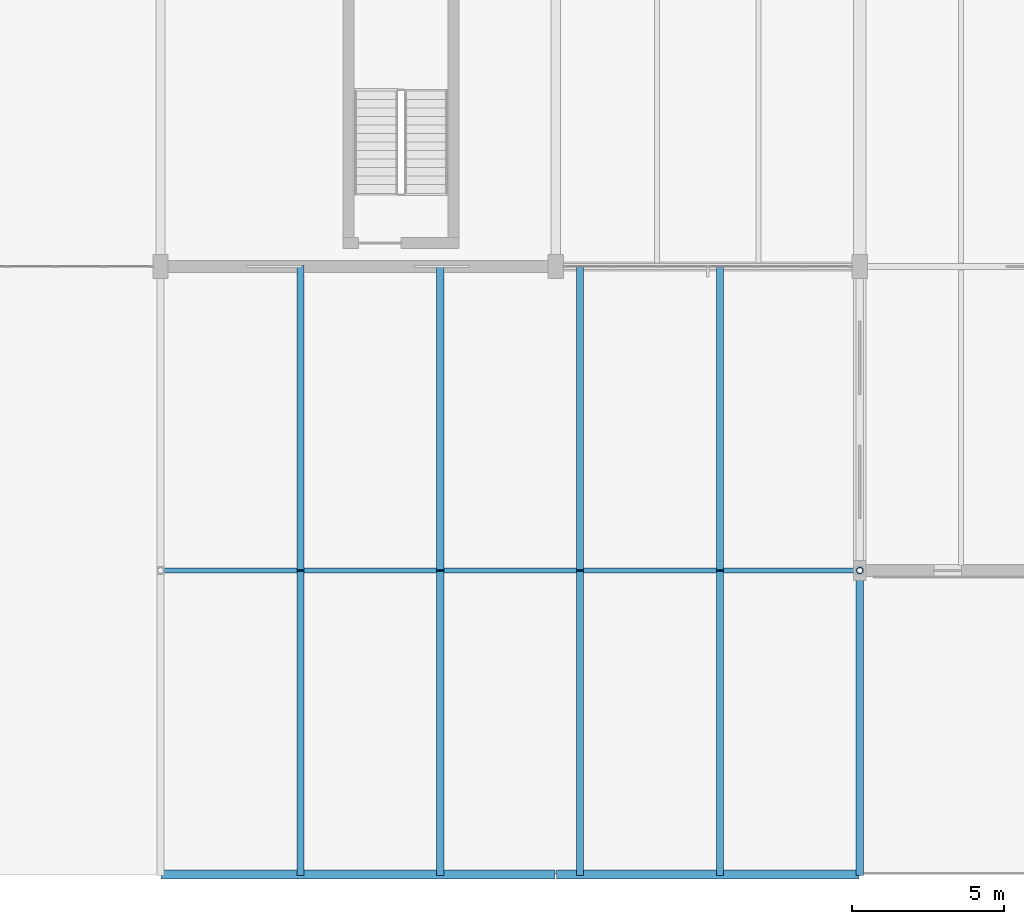
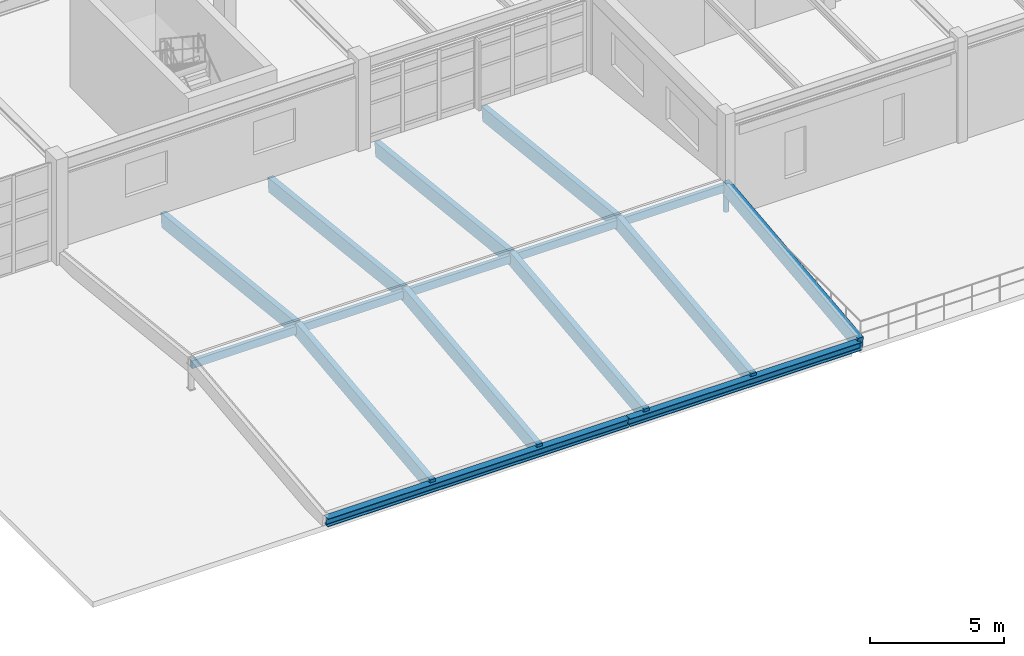
# One storey, part 61 of 139: 10 members, 3 beams.
"""IFC4 building model written with IfcOpenShell, lengths in metres."""

import ifcopenshell
import ifcopenshell.guid

model = None  # the IFC model being written
_history = None  # IfcOwnerHistory: only IFC2X3 demands one
_inside = {}  # id of a spatial element -> (the spatial element, [elements in it])
_under = {}  # id of a project, library or spatial element -> (it, [spatial elements below it])
_declared = {}  # id of a project -> (the project, [libraries it declares])
_typed = {}  # id of a type object -> (the type object, [elements of that type])
_made_of = {}  # id of a material, layer set ... -> (it, [elements and type objects made of it])


def new_model(schema):
    """Start an empty IFC model of exactly this schema.

    Asked for "IFC4X3", IfcOpenShell would pick the latest addendum, in which some entities
    have other attributes; the version numbers below select the first issue.
    IFC2X3 requires an IfcOwnerHistory on every rooted entity: one is made here for all.
    """
    global model, _history
    if schema == "IFC4X3":
        model = ifcopenshell.file(schema_version=(4, 3, 0, 0))
    else:
        model = ifcopenshell.file(schema=schema)
    _inside.clear()
    _under.clear()
    _declared.clear()
    _typed.clear()
    _made_of.clear()
    _history = None
    if model.schema == "IFC2X3":
        org = make("IfcOrganization", Name="unknown")
        user = make(
            "IfcPersonAndOrganization",
            ThePerson=make("IfcPerson", FamilyName="unknown"),
            TheOrganization=org,
        )
        app = make(
            "IfcApplication",
            ApplicationDeveloper=org,
            Version="unknown",
            ApplicationFullName="unknown",
            ApplicationIdentifier="unknown",
        )
        _history = make(
            "IfcOwnerHistory",
            OwningUser=user,
            OwningApplication=app,
            ChangeAction="ADDED",
            CreationDate=0,
        )
    return model


def make(cls, **values):
    """One entity of the class cls with the attributes given. An attribute that is None is left unset."""
    return model.create_entity(
        cls, **{name: value for name, value in values.items() if value is not None}
    )


def rooted(cls, **values):
    """An entity with a GlobalId (a new one), such as an element, a storey or a relation."""
    return make(cls, GlobalId=ifcopenshell.guid.new(), OwnerHistory=_history, **values)


def si_unit(unit_type, name, prefix=None):
    """IfcSIUnit, for example si_unit("LENGTHUNIT", "METRE", prefix="MILLI")."""
    return make("IfcSIUnit", UnitType=unit_type, Prefix=prefix, Name=name)


def assignment(units):
    """IfcUnitAssignment: the units of a project."""
    return None if units is None else make("IfcUnitAssignment", Units=units)


def point(xyz):
    """IfcCartesianPoint."""
    return None if xyz is None else make("IfcCartesianPoint", Coordinates=xyz)


def direction(xyz):
    """IfcDirection."""
    return None if xyz is None else make("IfcDirection", DirectionRatios=xyz)


def frame(location, z_axis=None, x_axis=None):
    """IfcAxis2Placement3D, a coordinate frame: its origin and axes. An axis left out is left unset."""
    return make(
        "IfcAxis2Placement3D",
        Location=point(location),
        Axis=direction(z_axis),
        RefDirection=direction(x_axis),
    )


def frame_2d(location, x_axis=None):
    """IfcAxis2Placement2D, a coordinate frame in the plane: its origin and x axis."""
    return make(
        "IfcAxis2Placement2D", Location=point(location), RefDirection=direction(x_axis)
    )


def origin():
    """The frame at (0, 0, 0) with its axes left unset."""
    return frame((0.0, 0.0, 0.0))


def origin_2d():
    """The frame at (0, 0) in the plane with its x axis left unset."""
    return frame_2d((0.0, 0.0))


def place(relative_to, where):
    """IfcLocalPlacement: puts the frame where relative to a parent placement (None: the world)."""
    return make(
        "IfcLocalPlacement", PlacementRelTo=relative_to, RelativePlacement=where
    )


def context(
    kind, dimensions, precision=None, world=None, true_north=None, identifier=None
):
    """IfcGeometricRepresentationContext, for example the 3D "Model" context."""
    return make(
        "IfcGeometricRepresentationContext",
        ContextIdentifier=identifier,
        ContextType=kind,
        CoordinateSpaceDimension=dimensions,
        Precision=precision,
        WorldCoordinateSystem=world,
        TrueNorth=true_north,
    )


def subcontext(parent, identifier, kind, view, scale=None):
    """IfcGeometricRepresentationSubContext, for example "Body" below "Model"."""
    return make(
        "IfcGeometricRepresentationSubContext",
        ContextIdentifier=identifier,
        ContextType=kind,
        ParentContext=parent,
        TargetScale=scale,
        TargetView=view,
    )


def project(units=None, contexts=None):
    """IfcProject with its units and contexts."""
    return rooted(
        "IfcProject",
        Name="project",
        RepresentationContexts=contexts,
        UnitsInContext=assignment(units),
    )


def spatial(cls, under=None, at=None, **own):
    """A site, building, storey or space (cls), placed at a placement, below another one or the project."""
    s = rooted(cls, ObjectPlacement=at, **own)
    if under is not None:
        _under.setdefault(under.id(), (under, []))[1].append(s)
    return s


def profile(cls, at=None, kind="AREA", **sizes):
    """A parametric profile (cls). Its sizes go by their IFC names, for example OverallWidth=200.0."""
    return make(cls, ProfileType=kind, Position=at, **sizes)


def rectangle(**sizes):
    """IfcRectangleProfileDef."""
    return profile("IfcRectangleProfileDef", **sizes)


def hollow_circle(**sizes):
    """IfcCircleHollowProfileDef."""
    return profile("IfcCircleHollowProfileDef", **sizes)


def i_section(**sizes):
    """IfcIShapeProfileDef."""
    return profile("IfcIShapeProfileDef", **sizes)


def extrude(swept, where, along, depth):
    """IfcExtrudedAreaSolid: the profile swept, set in the frame where, extruded along a direction by depth."""
    return make(
        "IfcExtrudedAreaSolid",
        SweptArea=swept,
        Position=where,
        ExtrudedDirection=direction(along),
        Depth=depth,
    )


def shape(context_of_items, identifier, shape_type, items):
    """IfcShapeRepresentation: the items that make up one representation, for example the "Body"."""
    return make(
        "IfcShapeRepresentation",
        ContextOfItems=context_of_items,
        RepresentationIdentifier=identifier,
        RepresentationType=shape_type,
        Items=items,
    )


def material(Name=None, Category=None):
    """IfcMaterial."""
    return make("IfcMaterial", Name=Name, Category=Category)


def material_profile(
    of_material, cross_section, Name=None, Category=None, Priority=None
):
    """IfcMaterialProfile: a cross section and its material."""
    return make(
        "IfcMaterialProfile",
        Name=Name,
        Material=of_material,
        Profile=cross_section,
        Priority=Priority,
        Category=Category,
    )


def profile_set(profiles, Name=None, composite=None):
    """IfcMaterialProfileSet."""
    return make(
        "IfcMaterialProfileSet",
        Name=Name,
        MaterialProfiles=profiles,
        CompositeProfile=composite,
    )


def made_of(thing, what):
    """Note that an element or type object is made of a material, layer set ...; save() writes the relation."""
    if what is not None:
        _made_of.setdefault(what.id(), (what, []))[1].append(thing)
    return thing


def type_object(cls, material=None, **own):
    """A type object (cls), such as IfcWallType, which elements share."""
    return made_of(rooted(cls, **own), material)


def element(
    cls,
    number,
    at=None,
    inside=None,
    cuts=None,
    type_object=None,
    material=None,
    context=None,
    identifier="Body",
    shape_type=None,
    held_by="IfcProductDefinitionShape",
    body=None,
    shapes=None,
    **own,
):
    """One element of the class cls, such as IfcWall. Its Tag is "e" and its number.

    at: its placement. inside: the storey or other place that contains it. cuts: it is an
    opening in that element (IfcRelVoidsElement). A single representation is given by context,
    identifier, shape_type and body (its items); several are given by shapes. held_by: the class
    of the entity that holds the representations. save() writes the other relations.
    """
    e = rooted(cls, Tag="e%d" % number, ObjectPlacement=at, **own)
    if body is not None:
        shapes = [shape(context, identifier, shape_type, body)]
    if shapes is not None:
        e.Representation = make(held_by, Representations=shapes)
    if inside is not None:
        _inside.setdefault(inside.id(), (inside, []))[1].append(e)
    if cuts is not None:
        rooted(
            "IfcRelVoidsElement", RelatingBuildingElement=cuts, RelatedOpeningElement=e
        )
    if type_object is not None:
        _typed.setdefault(type_object.id(), (type_object, []))[1].append(e)
    return made_of(e, material)


def aggregate(whole, parts):
    """IfcRelAggregates: a whole, such as a stair, and the parts it consists of."""
    return rooted("IfcRelAggregates", RelatingObject=whole, RelatedObjects=parts)


def save(model, path):
    """Write the relations noted so far, then the file.

    IfcRelAggregates (storeys below a building ...), IfcRelContainedInSpatialStructure (elements
    in a storey), IfcRelDefinesByType, IfcRelAssociatesMaterial and IfcRelDeclares: one each for
    every whole, place, type object, material and project.
    """
    for whole, parts in _under.values():
        aggregate(whole, parts)
    for where, things in _inside.values():
        rooted(
            "IfcRelContainedInSpatialStructure",
            RelatedElements=things,
            RelatingStructure=where,
        )
    for kind, things in _typed.values():
        rooted("IfcRelDefinesByType", RelatedObjects=things, RelatingType=kind)
    for what, things in _made_of.values():
        rooted("IfcRelAssociatesMaterial", RelatedObjects=things, RelatingMaterial=what)
    for by, libraries in _declared.values():
        rooted("IfcRelDeclares", RelatingContext=by, RelatedDefinitions=libraries)
    model.write(path)


model = new_model("IFC4")

# Units and contexts
model_context = context("Model", 3, precision=1e-05, world=origin(), true_north=direction((0.0, 1.0)))
body_context = subcontext(model_context, "Body", "Model", "MODEL_VIEW")
ifc_project = project(units=[si_unit("LENGTHUNIT", "METRE"), si_unit("AREAUNIT", "SQUARE_METRE"), si_unit("VOLUMEUNIT", "CUBIC_METRE"), si_unit("PLANEANGLEUNIT", "RADIAN"), si_unit("MASSUNIT", "GRAM", prefix="KILO"), si_unit("THERMODYNAMICTEMPERATUREUNIT", "KELVIN"), si_unit("POWERUNIT", "WATT")], contexts=[model_context])

# Site, building, storey
site_placement = place(None, origin())
site = spatial("IfcSite", under=ifc_project, at=site_placement, CompositionType="ELEMENT")
building_placement = place(site_placement, origin())
building = spatial("IfcBuilding", under=site, at=building_placement, Name="Korenveer Ferry Terminal", CompositionType="ELEMENT")
storey_placement = place(building_placement, frame((0.0, 0.0, 5.39990234375)))
storey = spatial("IfcBuildingStorey", under=building, at=storey_placement, Name="L01", CompositionType="ELEMENT", Elevation=5.39990234375)

# Beams
ifc_material_1 = material(Name="Steel S355", Category="steel")
ifc_material_profile_1 = material_profile(ifc_material_1, i_section(OverallWidth=0.300048828125, OverallDepth=0.360107421875, WebThickness=0.012451171875, FlangeThickness=0.0224609375, FilletRadius=0.027099609375, at=origin_2d()), Name="HEB 360")
ifc_profile_set_1 = profile_set([ifc_material_profile_1], Name="Steel S355")
beam_type_1 = type_object("IfcBeamType", Name="STR-BM-HEB360", PredefinedType="BEAM", material=ifc_profile_set_1)
beam_1_placement = place(storey_placement, frame((123.02001953125, 0.0, 0.18017578125), z_axis=(1.0, 0.0, 0.0), x_axis=(0.0, 1.0, 0.0)))
element("IfcBeam", 1, at=beam_1_placement, inside=storey, type_object=beam_type_1, Name="Canopy eave beam FCE 0 123", PredefinedType="BEAM", context=body_context, shape_type="SweptSolid", body=[
    extrude(i_section(OverallWidth=0.300048828125, OverallDepth=0.360107421875, WebThickness=0.012451171875, FlangeThickness=0.0224609375, FilletRadius=0.027099609375, at=origin_2d()), origin(), (0.0, 0.0, 1.0), 12.9599609375),
])
beam_2_placement = place(storey_placement, frame((136.02001953125, 0.0, 0.18017578125), z_axis=(1.0, 0.0, 0.0), x_axis=(0.0, 1.0, 0.0)))
element("IfcBeam", 2, at=beam_2_placement, inside=storey, type_object=beam_type_1, Name="Canopy eave beam FCE 0 136", PredefinedType="BEAM", context=body_context, shape_type="SweptSolid", body=[
    extrude(i_section(OverallWidth=0.300048828125, OverallDepth=0.360107421875, WebThickness=0.012451171875, FlangeThickness=0.0224609375, FilletRadius=0.027099609375, at=origin_2d()), origin(), (0.0, 0.0, 1.0), 9.9599609375),
])

# Members
ifc_material_2 = material(Name="Glulam GL28h", Category="wood")
ifc_material_profile_2 = material_profile(ifc_material_2, rectangle(XDim=0.239990234375, YDim=0.639892578125, at=origin_2d()), Name="GL 240x640")
ifc_profile_set_2 = profile_set([ifc_material_profile_2], Name="Glulam GL28h")
member_type_1 = type_object("IfcMemberType", Name="STR-RAF-GL240", PredefinedType="RAFTER", material=ifc_profile_set_2)
for number, where, z_axis, x_axis, name in (
    (3, (127.60009765625, 0.0, 0.18017578125), (0.0, 0.994005938353, 0.109326092585), (-1.0, 0.0, 0.0), "Canopy glulam rafter 195"),
    (4, (127.60009765625, 10.0, 1.280029296875), (0.0, 0.994005938353, -0.109326092585), (-1.0, 0.0, 0.0), "Canopy glulam rafter 196"),
    (5, (132.199951171875, 0.0, 0.18017578125), (0.0, 0.994005938353, 0.109326092585), (-1.0, 0.0, 0.0), "Canopy glulam rafter 197"),
    (6, (132.199951171875, 10.0, 1.280029296875), (0.0, 0.994005938353, -0.109326092585), (-1.0, 0.0, 0.0), "Canopy glulam rafter 198"),
    (7, (136.800048828125, 0.0, 0.18017578125), (0.0, 0.994005938353, 0.109326092585), (-1.0, 0.0, 0.0), "Canopy glulam rafter 199"),
    (8, (136.800048828125, 10.0, 1.280029296875), (0.0, 0.994005938353, -0.109326092585), (-1.0, 0.0, 0.0), "Canopy glulam rafter 200"),
    (9, (141.39990234375, 0.0, 0.18017578125), (0.0, 0.994005938353, 0.109326092585), (-1.0, 0.0, 0.0), "Canopy glulam rafter 201"),
    (10, (141.39990234375, 10.0, 1.280029296875), (0.0, 0.994005938353, -0.109326092585), (-1.0, 0.0, 0.0), "Canopy glulam rafter 202"),
    (11, (146.0, 0.0, 0.18017578125), (0.0, 0.994005938353, 0.109326092585), (-1.0, 0.0, 0.0), "Canopy glulam rafter 203"),
):
    element("IfcMember", number, at=place(storey_placement, frame(where, z_axis=z_axis, x_axis=x_axis)), inside=storey, type_object=member_type_1, Name=name, PredefinedType="RAFTER", context=body_context, shape_type="SweptSolid", body=[
        extrude(rectangle(XDim=0.239990234375, YDim=0.639892578125, at=origin_2d()), origin(), (0.0, 0.0, 1.0), 10.060302734375),
    ])

# Beam
ifc_material_profile_3 = material_profile(ifc_material_2, rectangle(XDim=0.159912109375, YDim=0.360107421875, at=origin_2d()), Name="GL 160x360")
ifc_profile_set_3 = profile_set([ifc_material_profile_3], Name="Glulam GL28h")
beam_type_2 = type_object("IfcBeamType", Name="STR-RFG-GL160", PredefinedType="USERDEFINED", material=ifc_profile_set_3)
beam_3_placement = place(storey_placement, frame((123.0, 10.0, 1.280029296875), z_axis=(1.0, 0.0, 0.0), x_axis=(0.0, 1.0, 0.0)))
element("IfcBeam", 12, at=beam_3_placement, inside=storey, type_object=beam_type_2, Name="Forecourt canopy ridge beam FCE", ObjectType="ROOF GIRDER", PredefinedType="USERDEFINED", context=body_context, shape_type="SweptSolid", body=[
    extrude(rectangle(XDim=0.159912109375, YDim=0.360107421875, at=origin_2d()), origin(), (0.0, 0.0, 1.0), 23.0),
])

# Member
ifc_material_profile_4 = material_profile(ifc_material_1, hollow_circle(Radius=0.109619140625, WallThickness=0.012451171875, at=origin_2d()), Name="CHS 219.1x12.5")
ifc_profile_set_4 = profile_set([ifc_material_profile_4], Name="Steel S355")
member_type_2 = type_object("IfcMemberType", Name="STR-STT-CHS219", PredefinedType="STRUT", material=ifc_profile_set_4)
member_placement = place(storey_placement, frame((146.0, 10.0, 0.18017578125), z_axis=(0.0, 0.0, 1.0), x_axis=(1.0, 0.0, 0.0)))
element("IfcMember", 13, at=member_placement, inside=storey, type_object=member_type_2, Name="Canopy ridge king-post STTFC-FCE-X146", PredefinedType="STRUT", context=body_context, shape_type="SweptSolid", body=[
    extrude(hollow_circle(Radius=0.109619140625, WallThickness=0.012451171875, at=origin_2d()), origin(), (0.0, 0.0, 1.0), 1.099853515625),
])

save(model, "model.ifc")
